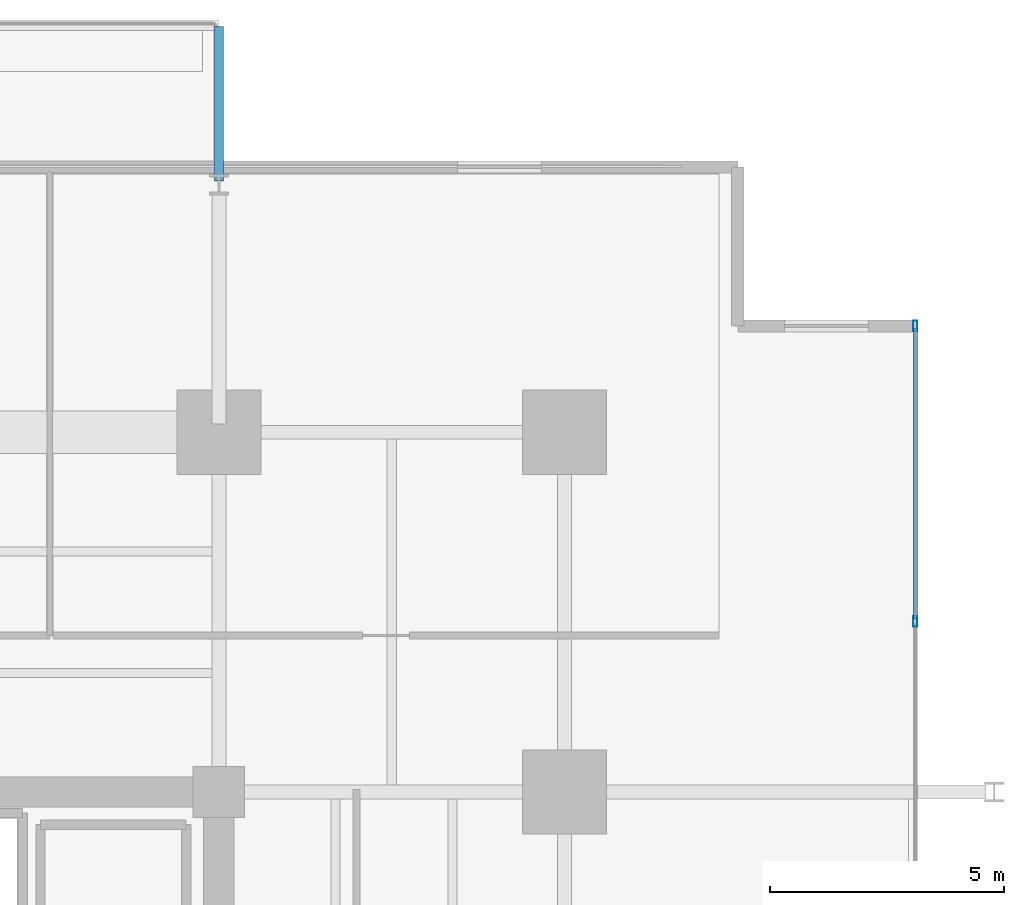
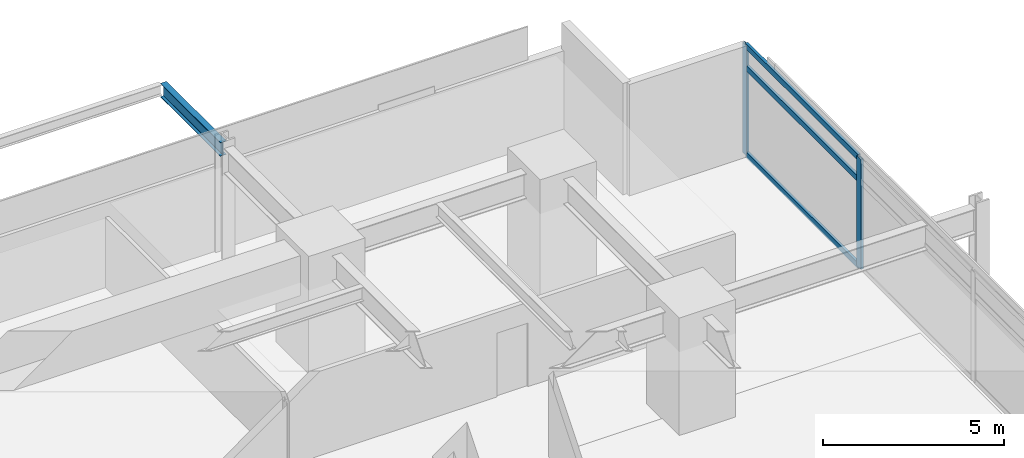
# One storey, part 13 of 23: 5 members, 1 beam, 1 element without a shape of its own.
"""IFC4 building model written with IfcOpenShell, lengths in metres."""

from ifc_helpers import new_model, si_unit, direction, frame, origin, origin_2d, place, context, subcontext, project, spatial, hollow_rectangle, i_section, extrude, material, material_profile, profile_set, type_object, element, aggregate, save


model = new_model("IFC4")

# Units and contexts
model_context = context("Model", 3, precision=1e-05, world=origin(), true_north=direction((0.0, 1.0)))
body_context = subcontext(model_context, "Body", "Model", "MODEL_VIEW")
ifc_project = project(units=[si_unit("LENGTHUNIT", "METRE"), si_unit("AREAUNIT", "SQUARE_METRE"), si_unit("VOLUMEUNIT", "CUBIC_METRE"), si_unit("PLANEANGLEUNIT", "RADIAN"), si_unit("MASSUNIT", "GRAM", prefix="KILO")], contexts=[model_context])

# Site, building, storey
site_placement = place(None, origin())
site = spatial("IfcSite", under=ifc_project, at=site_placement, CompositionType="ELEMENT")
building_placement = place(site_placement, origin())
building = spatial("IfcBuilding", under=site, at=building_placement, Name="Kovane Verandah Tower", CompositionType="ELEMENT")
storey_placement = place(building_placement, frame((0.0, 0.0, 63.60009765625)))
storey = spatial("IfcBuildingStorey", under=building, at=storey_placement, Name="L14", CompositionType="ELEMENT", Elevation=63.60009765625)

# Curtain wall, members
ifc_material_1 = material(Name="Champagne Anodised Aluminium Frame with Low-E Clear Laminated Glass", Category="aluminium")
curtain_wall_type = type_object("IfcCurtainWallType", Name="CW-SYS-02-LOW", PredefinedType="NOTDEFINED", material=ifc_material_1)
curtain_wall_placement = place(storey_placement, origin())
curtain_wall = element("IfcCurtainWall", 1, at=curtain_wall_placement, inside=storey, type_object=curtain_wall_type, Name="L14 E Unitised Curtain Wall", PredefinedType="NOTDEFINED")
ifc_material_2 = material(Name="Champagne Anodised Aluminium 6063-T6", Category="aluminium")
ifc_material_profile_1 = material_profile(ifc_material_2, hollow_rectangle(XDim=0.0849609375, YDim=0.22998046875, WallThickness=0.00390625, at=origin_2d()), Name="AL85x230x4")
ifc_profile_set_1 = profile_set([ifc_material_profile_1], Name="Champagne Anodised Aluminium 6063-T6")
member_type_1 = type_object("IfcMemberType", Name="CW-MUL-85x230", PredefinedType="MULLION", material=ifc_profile_set_1)
member_1_placement = place(storey_placement, frame((65.906982421875, 40.14990234375, 0.02001953125), z_axis=(0.0, 0.0, 1.0), x_axis=(1.0, 0.0, 0.0)))
member_1 = element("IfcMember", 2, at=member_1_placement, type_object=member_type_1, Name="L14 E Unitised Curtain Wall Mullion 6", PredefinedType="MULLION", context=body_context, shape_type="SweptSolid", body=[
    extrude(hollow_rectangle(XDim=0.0849609375, YDim=0.22998046875, WallThickness=0.00390625, at=origin_2d()), origin(), (0.0, 0.0, 1.0), 3.719970703125),
])
member_2_placement = place(storey_placement, frame((65.906982421875, 46.47509765625, 0.02001953125), z_axis=(0.0, 0.0, 1.0), x_axis=(1.0, 0.0, 0.0)))
member_2 = element("IfcMember", 3, at=member_2_placement, type_object=member_type_1, Name="L14 E Unitised Curtain Wall Mullion 7", PredefinedType="MULLION", context=body_context, shape_type="SweptSolid", body=[
    extrude(hollow_rectangle(XDim=0.0849609375, YDim=0.22998046875, WallThickness=0.00390625, at=origin_2d()), origin(), (0.0, 0.0, 1.0), 3.719970703125),
])
ifc_material_profile_2 = material_profile(ifc_material_2, hollow_rectangle(XDim=0.0849609375, YDim=0.18994140625, WallThickness=0.00390625, at=origin_2d()), Name="AL85x190x4")
ifc_profile_set_2 = profile_set([ifc_material_profile_2], Name="Champagne Anodised Aluminium 6063-T6")
member_type_2 = type_object("IfcMemberType", Name="CW-TRN-85x190", PredefinedType="USERDEFINED", material=ifc_profile_set_2)
member_3_placement = place(storey_placement, frame((65.906982421875, 40.199951171875, 0.0498046875), z_axis=(0.0, 1.0, 0.0), x_axis=(-1.0, 0.0, 0.0)))
member_3 = element("IfcMember", 4, at=member_3_placement, type_object=member_type_2, Name="L14 E Unitised Curtain Wall Transom TB Bay 6", ObjectType="TRANSOM", PredefinedType="USERDEFINED", context=body_context, shape_type="SweptSolid", body=[
    extrude(hollow_rectangle(XDim=0.0849609375, YDim=0.18994140625, WallThickness=0.00390625, at=origin_2d()), origin(), (0.0, 0.0, 1.0), 6.22509765625),
])
member_4_placement = place(storey_placement, frame((65.906982421875, 40.199951171875, 2.97998046875), z_axis=(0.0, 1.0, 0.0), x_axis=(-1.0, 0.0, 0.0)))
member_4 = element("IfcMember", 5, at=member_4_placement, type_object=member_type_2, Name="L14 E Unitised Curtain Wall Transom TM Bay 6", ObjectType="TRANSOM", PredefinedType="USERDEFINED", context=body_context, shape_type="SweptSolid", body=[
    extrude(hollow_rectangle(XDim=0.0849609375, YDim=0.18994140625, WallThickness=0.00390625, at=origin_2d()), origin(), (0.0, 0.0, 1.0), 6.22509765625),
])
member_5_placement = place(storey_placement, frame((65.906982421875, 40.199951171875, 3.7099609375), z_axis=(0.0, 1.0, 0.0), x_axis=(-1.0, 0.0, 0.0)))
member_5 = element("IfcMember", 6, at=member_5_placement, type_object=member_type_2, Name="L14 E Unitised Curtain Wall Transom TT Bay 6", ObjectType="TRANSOM", PredefinedType="USERDEFINED", context=body_context, shape_type="SweptSolid", body=[
    extrude(hollow_rectangle(XDim=0.0849609375, YDim=0.18994140625, WallThickness=0.00390625, at=origin_2d()), origin(), (0.0, 0.0, 1.0), 6.22509765625),
])
aggregate(curtain_wall, [member_1, member_2, member_3, member_4, member_5])

# Beam
ifc_material_3 = material(Name="Steel S355", Category="steel")
ifc_material_profile_3 = material_profile(ifc_material_3, i_section(OverallWidth=0.19287109375, OverallDepth=0.46728515625, WebThickness=0.011474609375, FlangeThickness=0.01953125, FilletRadius=0.01025390625, at=origin_2d()), Name="UB457x191x98")
ifc_profile_set_3 = profile_set([ifc_material_profile_3], Name="Steel S355")
beam_type = type_object("IfcBeamType", Name="JST-UB457x98", PredefinedType="JOIST", material=ifc_profile_set_3)
beam_placement = place(storey_placement, frame((51.0, 49.580078125, 3.5263671875), z_axis=(0.0, 1.0, 0.0), x_axis=(-1.0, 0.0, 0.0)))
element("IfcBeam", 7, at=beam_placement, inside=storey, type_object=beam_type, Name="L14 North Planter Girder 2", PredefinedType="JOIST", context=body_context, shape_type="SweptSolid", body=[
    extrude(i_section(OverallWidth=0.19287109375, OverallDepth=0.46728515625, WebThickness=0.011474609375, FlangeThickness=0.01953125, FilletRadius=0.01025390625, at=origin_2d()), origin(), (0.0, 0.0, 1.0), 3.310791015625),
])

save(model, "model.ifc")
